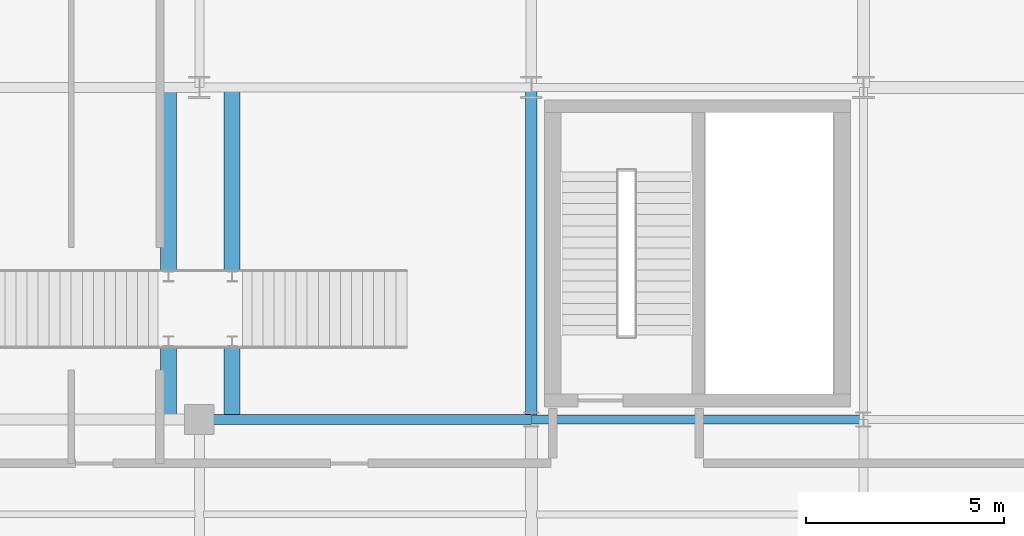
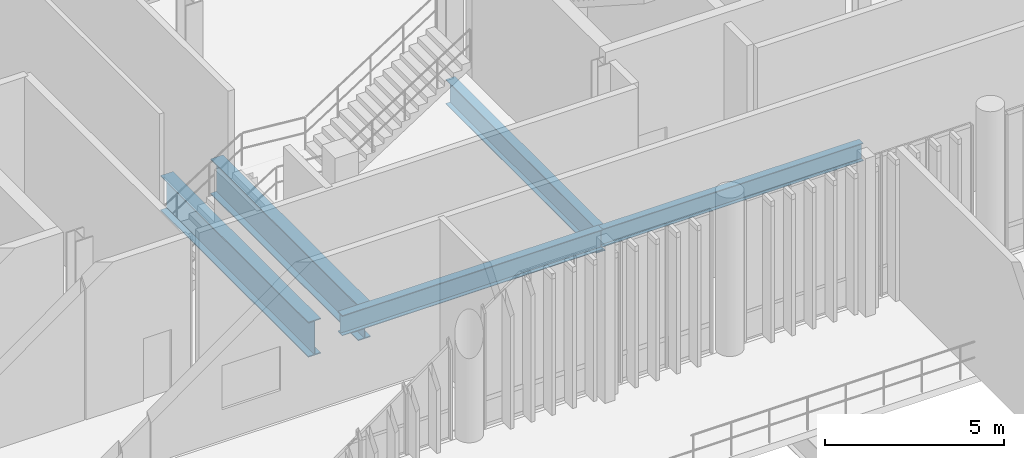
# One storey, part 62 of 128: 5 beams.
"""IFC4 building model written with IfcOpenShell, lengths in metres."""

from ifc_helpers import new_model, si_unit, direction, frame, origin_with_axes, origin_2d_with_axis, place, context, subcontext, project, spatial, i_section, extrude, material, material_profile, profile_set, type_object, element, save


model = new_model("IFC4")

# Units and contexts
model_context = context("Model", 3, precision=1e-05, world=origin_with_axes(), true_north=direction((0.0, 1.0)))
body_context = subcontext(model_context, "Body", "Model", "MODEL_VIEW")
ifc_project = project(units=[si_unit("LENGTHUNIT", "METRE"), si_unit("AREAUNIT", "SQUARE_METRE"), si_unit("VOLUMEUNIT", "CUBIC_METRE"), si_unit("PLANEANGLEUNIT", "RADIAN"), si_unit("MASSUNIT", "GRAM", prefix="KILO"), si_unit("THERMODYNAMICTEMPERATUREUNIT", "KELVIN")], contexts=[model_context])

# Site, building, storey
site_placement = place(None, origin_with_axes())
site = spatial("IfcSite", under=ifc_project, at=site_placement, CompositionType="ELEMENT")
building_placement = place(site_placement, origin_with_axes())
building = spatial("IfcBuilding", under=site, at=building_placement, Name="Montbau Bow Law Courts", CompositionType="ELEMENT")
storey_placement = place(building_placement, frame((0.0, 0.0, 5.4), z_axis=(0.0, 0.0, 1.0), x_axis=(1.0, 0.0, 0.0)))
storey = spatial("IfcBuildingStorey", under=building, at=storey_placement, Name="L01", CompositionType="ELEMENT", Elevation=5.4)

# Beams
ifc_material = material(Name="Steel CSA G40.21 Grade 350W (350 MPa)", Category="steel")
ifc_material_profile_1 = material_profile(ifc_material, i_section(OverallWidth=0.293, OverallDepth=0.846, WebThickness=0.0154, FlangeThickness=0.0244, at=origin_2d_with_axis()), Name="W840X210", Category="Main", Priority=0)
ifc_profile_set_1 = profile_set([ifc_material_profile_1], Name="Steel CSA G40.21 Grade 350W (350 MPa)")
beam_type_1 = type_object("IfcBeamType", Name="B-FLR-02", PredefinedType="BEAM", material=ifc_profile_set_1)
beam_1_placement = place(None, frame((80.4, 46.2, 4.737), z_axis=(0.0, 1.0, 0.0), x_axis=(-1.0, 0.0, 0.0)))
element("IfcBeam", 1, at=beam_1_placement, inside=storey, type_object=beam_type_1, Name="BM-L01-S0832:bm2_0835", PredefinedType="BEAM", context=body_context, shape_type="SweptSolid", body=[
    extrude(i_section(OverallWidth=0.293, OverallDepth=0.846, WebThickness=0.0154, FlangeThickness=0.0244, at=origin_2d_with_axis()), origin_with_axes(), (0.0, 0.0, 1.0), 8.4),
])
ifc_material_profile_2 = material_profile(ifc_material, i_section(OverallWidth=0.254, OverallDepth=0.688, WebThickness=0.0131, FlangeThickness=0.0211, at=origin_2d_with_axis()), Name="W690X152", Category="Main", Priority=0)
ifc_profile_set_2 = profile_set([ifc_material_profile_2], Name="Steel CSA G40.21 Grade 350W (350 MPa)")
beam_type_2 = type_object("IfcBeamType", Name="B-FLR-04", PredefinedType="BEAM", material=ifc_profile_set_2)
beam_2_placement = place(None, frame((72.0, 46.2, 4.816), z_axis=(1.0, 0.0, 0.0), x_axis=(0.0, 1.0, 0.0)))
element("IfcBeam", 2, at=beam_2_placement, inside=storey, type_object=beam_type_2, Name="BM-L01-S0807:bm2_0810", PredefinedType="BEAM", context=body_context, shape_type="SweptSolid", body=[
    extrude(i_section(OverallWidth=0.254, OverallDepth=0.688, WebThickness=0.0131, FlangeThickness=0.0211, at=origin_2d_with_axis()), origin_with_axes(), (0.0, 0.0, 1.0), 8.4),
])
ifc_material_profile_3 = material_profile(ifc_material, i_section(OverallWidth=0.229, OverallDepth=0.612, WebThickness=0.0119, FlangeThickness=0.0196, at=origin_2d_with_axis()), Name="W610X125", Category="Main", Priority=0)
ifc_profile_set_3 = profile_set([ifc_material_profile_3], Name="Steel CSA G40.21 Grade 350W (350 MPa)")
beam_type_3 = type_object("IfcBeamType", Name="B-FLR-05", PredefinedType="BEAM", material=ifc_profile_set_3)
beam_3_placement = place(None, frame((80.4, 46.2, 4.854), z_axis=(1.0, 0.0, 0.0), x_axis=(0.0, 1.0, 0.0)))
element("IfcBeam", 3, at=beam_3_placement, inside=storey, type_object=beam_type_3, Name="BM-L01-S0808:bm2_0811", PredefinedType="BEAM", context=body_context, shape_type="SweptSolid", body=[
    extrude(i_section(OverallWidth=0.229, OverallDepth=0.612, WebThickness=0.0119, FlangeThickness=0.0196, at=origin_2d_with_axis()), origin_with_axes(), (0.0, 0.0, 1.0), 8.4),
])
ifc_material_profile_4 = material_profile(ifc_material, i_section(OverallWidth=0.4, OverallDepth=1.2, WebThickness=0.016, FlangeThickness=0.035, at=origin_2d_with_axis()), Name="WWF1200X302", Category="Main", Priority=0)
ifc_profile_set_4 = profile_set([ifc_material_profile_4], Name="Steel CSA G40.21 Grade 350W (350 MPa)")
beam_type_4 = type_object("IfcBeamType", Name="B-TRG-05", PredefinedType="USERDEFINED", material=ifc_profile_set_4)
for number, where, z_axis, x_axis, name in (
    (4, (71.22, 46.275, 4.56), (0.0, 1.0, 0.0), (-1.0, 0.0, 0.0), "TRG-L01-S1808:bm2_1811"),
    (5, (72.83, 46.275, 4.56), (0.0, 1.0, 0.0), (-1.0, 0.0, 0.0), "TRG-L01-S1809:bm2_1812"),
):
    element("IfcBeam", number, at=place(None, frame(where, z_axis=z_axis, x_axis=x_axis)), inside=storey, type_object=beam_type_4, Name=name, ObjectType="GIRDER", PredefinedType="USERDEFINED", context=body_context, shape_type="SweptSolid", body=[
        extrude(i_section(OverallWidth=0.4, OverallDepth=1.2, WebThickness=0.016, FlangeThickness=0.035, at=origin_2d_with_axis()), origin_with_axes(), (0.0, 0.0, 1.0), 8.25),
    ])

save(model, "model.ifc")
